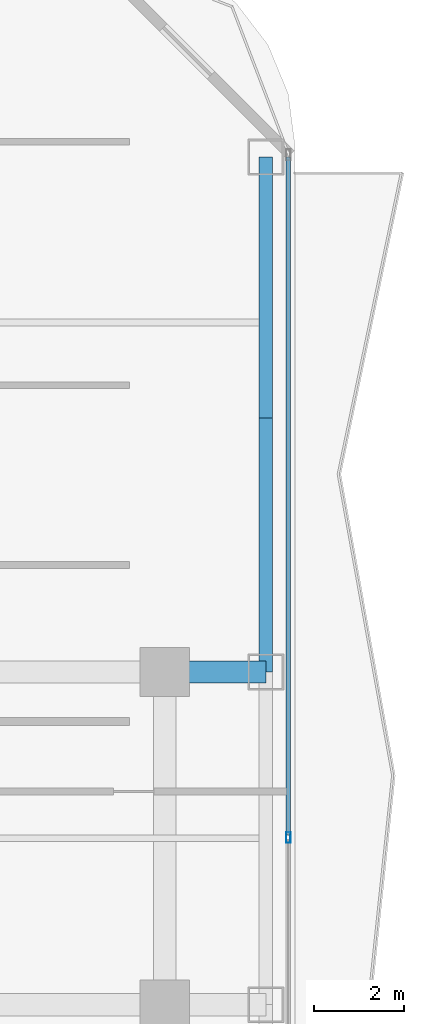
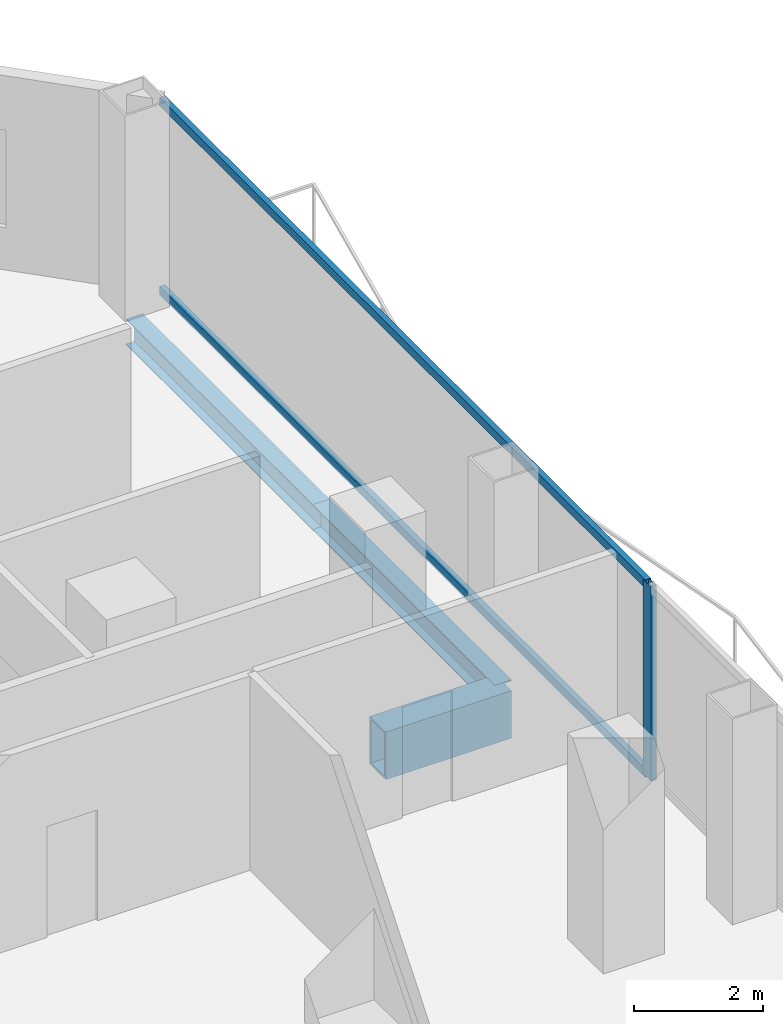
# One storey, part 14 of 29: 3 beams, 3 members, 1 element without a shape of its own.
"""IFC4 building model written with IfcOpenShell, lengths in metres."""

from ifc_helpers import new_model, si_unit, direction, frame, origin, origin_2d, place, context, subcontext, project, spatial, hollow_rectangle, i_section, extrude, material, layer, layer_set, material_profile, profile_set, type_object, element, aggregate, save


model = new_model("IFC4")

# Units and contexts
model_context = context("Model", 3, precision=1e-05, world=origin(), true_north=direction((0.0, 1.0)))
body_context = subcontext(model_context, "Body", "Model", "MODEL_VIEW")
ifc_project = project(units=[si_unit("LENGTHUNIT", "METRE"), si_unit("AREAUNIT", "SQUARE_METRE"), si_unit("VOLUMEUNIT", "CUBIC_METRE"), si_unit("PLANEANGLEUNIT", "RADIAN"), si_unit("MASSUNIT", "GRAM", prefix="KILO")], contexts=[model_context])

# Site, building, storey
site_placement = place(None, origin())
site = spatial("IfcSite", under=ifc_project, at=site_placement, CompositionType="ELEMENT")
building_placement = place(site_placement, origin())
building = spatial("IfcBuilding", under=site, at=building_placement, Name="Khorvyn Point Tower", CompositionType="ELEMENT")
storey_placement = place(building_placement, frame((0.0, 0.0, 85.199951171875)))
storey = spatial("IfcBuildingStorey", under=building, at=storey_placement, Name="L21", CompositionType="ELEMENT", Elevation=85.199951171875)

# Curtain wall, members
ifc_material_1 = material(Name="Anodised aluminium 6063-T6 and laminated Low-E glass", Category="aluminium")
ifc_layer = layer(ifc_material_1, 0.18994140625)
ifc_layer_set = layer_set([ifc_layer], Name="Stick-Built Finned Residential Curtain Wall CW-SYS-02")
curtain_wall_type = type_object("IfcCurtainWallType", Name="Stick-Built Finned Residential Curtain Wall CW-SYS-02", PredefinedType="NOTDEFINED", material=ifc_layer_set)
curtain_wall_placement = place(storey_placement, origin())
curtain_wall = element("IfcCurtainWall", 1, at=curtain_wall_placement, inside=storey, type_object=curtain_wall_type, Name="Curtain Wall", PredefinedType="NOTDEFINED")
ifc_material_2 = material(Name="Anodised aluminium 6063-T6", Category="aluminium")
ifc_material_profile_1 = material_profile(ifc_material_2, hollow_rectangle(XDim=0.10009765625, YDim=0.239990234375, WallThickness=0.0048828125, at=origin_2d()))
ifc_profile_set_1 = profile_set([ifc_material_profile_1], Name="Anodised aluminium 6063-T6 ALU-MUL-100x240")
member_type_1 = type_object("IfcMemberType", Name="Anodised Aluminium 6063-T6 Mullion ALU-MUL-100x240", PredefinedType="MULLION", material=ifc_profile_set_1)
member_1_placement = place(storey_placement, frame((22.14990234375, 11.1201171875, 0.0), z_axis=(0.0, 0.0, 1.0), x_axis=(1.0, 0.0, 0.0)))
member_1 = element("IfcMember", 2, at=member_1_placement, type_object=member_type_1, Name="Transom", PredefinedType="MULLION", context=body_context, shape_type="SweptSolid", body=[
    extrude(hollow_rectangle(XDim=0.10009765625, YDim=0.239990234375, WallThickness=0.0048828125, at=origin_2d()), origin(), (0.0, 0.0, 1.0), 3.679931640625),
])
ifc_material_profile_2 = material_profile(ifc_material_2, hollow_rectangle(XDim=0.10009765625, YDim=0.159912109375, WallThickness=0.00439453125, at=origin_2d()))
ifc_profile_set_2 = profile_set([ifc_material_profile_2], Name="Anodised aluminium 6063-T6 ALU-TRN-100x160")
member_type_2 = type_object("IfcMemberType", Name="Anodised Aluminium 6063-T6 Transom ALU-TRN-100x160", PredefinedType="USERDEFINED", material=ifc_profile_set_2)
member_2_placement = place(storey_placement, frame((22.14990234375, 26.25, 0.050048828125), z_axis=(0.0, -1.0, 0.0), x_axis=(1.0, 0.0, 0.0)))
member_2 = element("IfcMember", 3, at=member_2_placement, type_object=member_type_2, Name="Transom", ObjectType="TRANSOM", PredefinedType="USERDEFINED", context=body_context, shape_type="SweptSolid", body=[
    extrude(hollow_rectangle(XDim=0.10009765625, YDim=0.159912109375, WallThickness=0.00439453125, at=origin_2d()), origin(), (0.0, 0.0, 1.0), 15.080078125),
])
member_3_placement = place(storey_placement, frame((22.14990234375, 26.25, 3.630126953125), z_axis=(0.0, -1.0, 0.0), x_axis=(1.0, 0.0, 0.0)))
member_3 = element("IfcMember", 4, at=member_3_placement, type_object=member_type_2, Name="Transom", ObjectType="TRANSOM", PredefinedType="USERDEFINED", context=body_context, shape_type="SweptSolid", body=[
    extrude(hollow_rectangle(XDim=0.10009765625, YDim=0.159912109375, WallThickness=0.00439453125, at=origin_2d()), origin(), (0.0, 0.0, 1.0), 15.080078125),
])
aggregate(curtain_wall, [member_1, member_2, member_3])

# Beams
ifc_material_3 = material(Name="Steel S355", Category="steel")
ifc_material_profile_3 = material_profile(ifc_material_3, i_section(OverallWidth=0.300048828125, OverallDepth=0.488037109375, WebThickness=0.010986328125, FlangeThickness=0.01806640625, at=origin_2d()))
ifc_profile_set_3 = profile_set([ifc_material_profile_3], Name="Steel S355 H488x300x11x18")
beam_type_1 = type_object("IfcBeamType", Name="Steel S355 Spandrel H488x300x11x18", PredefinedType="SPANDREL", material=ifc_profile_set_3)
beam_1_placement = place(storey_placement, frame((21.64990234375, 14.800048828125, -0.52392578125), z_axis=(0.0, 1.0, 0.0), x_axis=(-1.0, 0.0, 0.0)))
element("IfcBeam", 5, at=beam_1_placement, inside=storey, type_object=beam_type_1, Name="Beam", PredefinedType="SPANDREL", context=body_context, shape_type="SweptSolid", body=[
    extrude(i_section(OverallWidth=0.300048828125, OverallDepth=0.488037109375, WebThickness=0.010986328125, FlangeThickness=0.01806640625, at=origin_2d()), origin(), (0.0, 0.0, 1.0), 5.64990234375),
])
beam_2_placement = place(storey_placement, frame((21.64990234375, 20.449951171875, -0.52392578125), z_axis=(0.0, 1.0, 0.0), x_axis=(-1.0, 0.0, 0.0)))
element("IfcBeam", 6, at=beam_2_placement, inside=storey, type_object=beam_type_1, Name="Beam", PredefinedType="SPANDREL", context=body_context, shape_type="SweptSolid", body=[
    extrude(i_section(OverallWidth=0.300048828125, OverallDepth=0.488037109375, WebThickness=0.010986328125, FlangeThickness=0.01806640625, at=origin_2d()), origin(), (0.0, 0.0, 1.0), 5.800048828125),
])
ifc_material_4 = material(Name="Steel S450", Category="steel")
ifc_material_profile_4 = material_profile(ifc_material_4, hollow_rectangle(XDim=0.5, YDim=0.89990234375, WallThickness=0.0400390625, at=origin_2d()))
ifc_profile_set_4 = profile_set([ifc_material_profile_4], Name="Steel S450 BOX900x500x40")
beam_type_2 = type_object("IfcBeamType", Name="Steel S450 Beam BOX900x500x40", PredefinedType="BEAM", material=ifc_profile_set_4)
beam_3_placement = place(storey_placement, frame((19.39990234375, 14.800048828125, -0.72998046875), z_axis=(1.0, 0.0, 0.0), x_axis=(0.0, 1.0, 0.0)))
element("IfcBeam", 7, at=beam_3_placement, inside=storey, type_object=beam_type_2, Name="L21 Radial Transfer Girder", PredefinedType="BEAM", context=body_context, shape_type="SweptSolid", body=[
    extrude(hollow_rectangle(XDim=0.5, YDim=0.89990234375, WallThickness=0.0400390625, at=origin_2d()), origin(), (0.0, 0.0, 1.0), 2.25),
])

save(model, "model.ifc")
